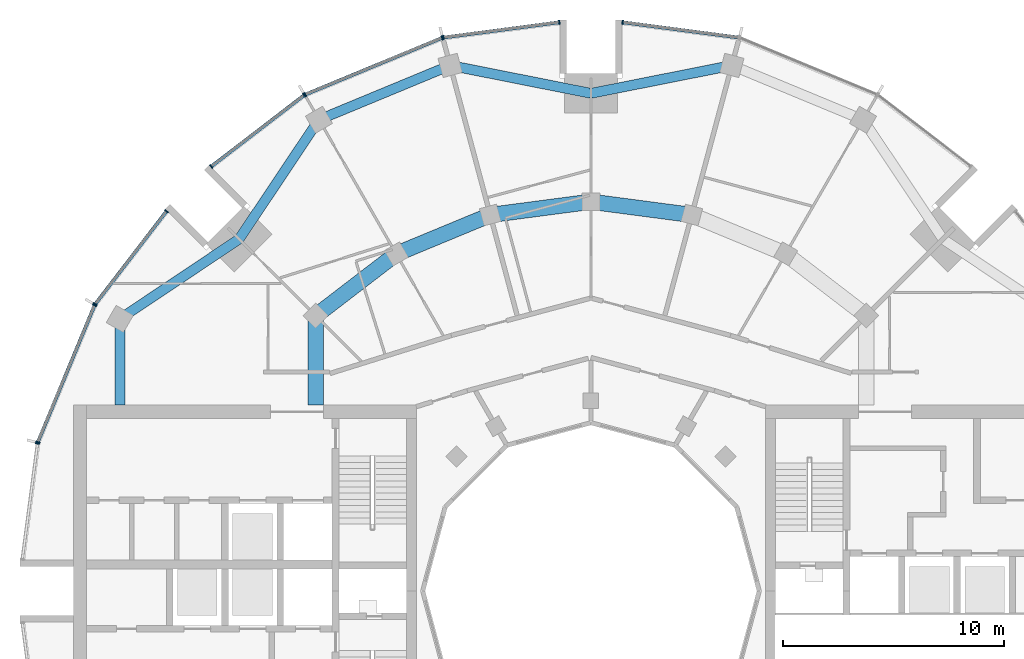
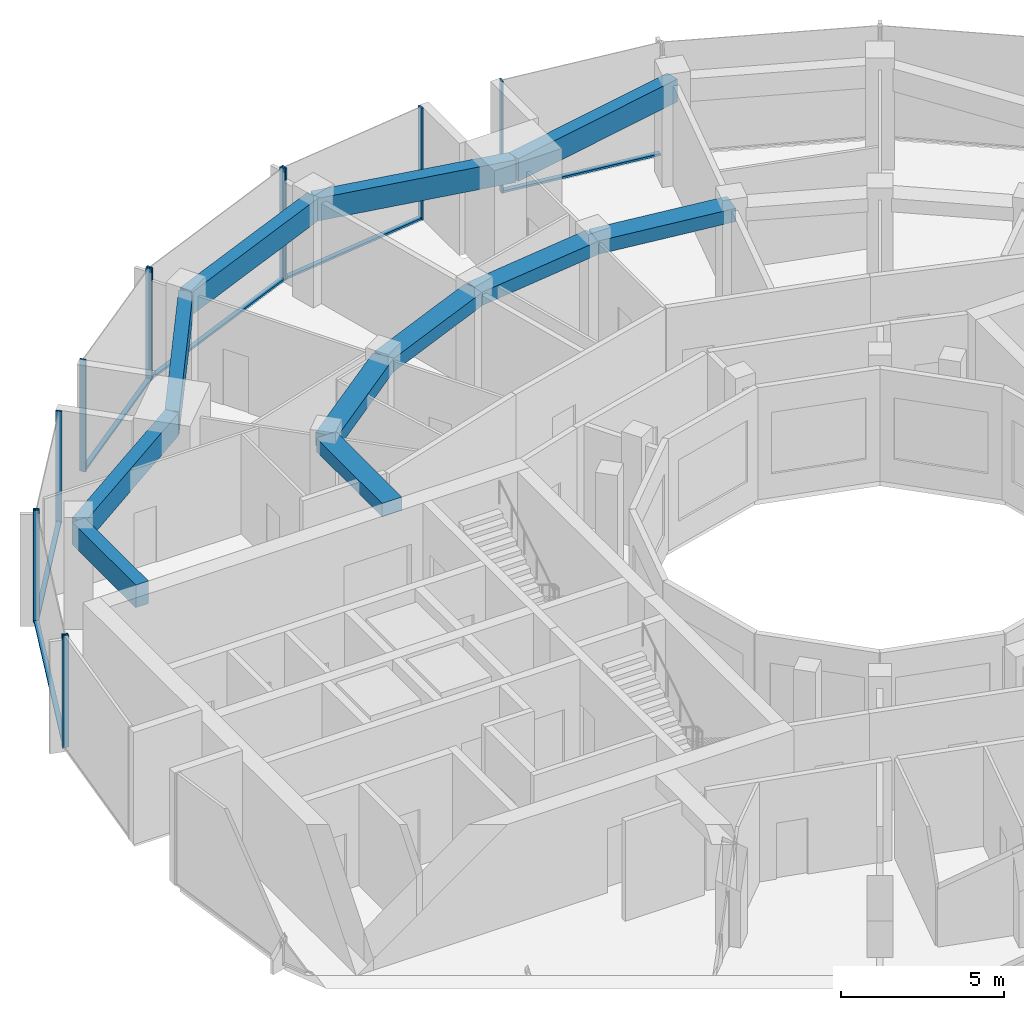
# One storey, part 5 of 15: 18 members, 11 beams, 7 elements without a shape of their own.
"""IFC4 building model written with IfcOpenShell, lengths in metres."""

from ifc_helpers import new_model, si_unit, direction, frame, origin, origin_2d, place, context, subcontext, project, spatial, rectangle, extrude, material, layer, layer_set, material_profile, profile_set, type_object, element, aggregate, save


model = new_model("IFC4")

# Units and contexts
model_context = context("Model", 3, precision=1e-05, world=origin(), true_north=direction((0.0, 1.0)))
body_context = subcontext(model_context, "Body", "Model", "MODEL_VIEW")
ifc_project = project(units=[si_unit("LENGTHUNIT", "METRE"), si_unit("AREAUNIT", "SQUARE_METRE"), si_unit("VOLUMEUNIT", "CUBIC_METRE"), si_unit("PLANEANGLEUNIT", "RADIAN"), si_unit("MASSUNIT", "GRAM", prefix="KILO")], contexts=[model_context])

# Site, building, storey
site_placement = place(None, origin())
site = spatial("IfcSite", under=ifc_project, at=site_placement, CompositionType="ELEMENT")
building_placement = place(site_placement, origin())
building = spatial("IfcBuilding", under=site, at=building_placement, Name="Torre Brocal", CompositionType="ELEMENT")
storey_placement = place(building_placement, frame((0.0, 0.0, 225.10009765625)))
storey = spatial("IfcBuildingStorey", under=building, at=storey_placement, Name="L52", CompositionType="ELEMENT", Elevation=225.10009765625)

# Curtain wall, member
ifc_material_1 = material(Name="Aluminium and glass", Category="aluminium")
ifc_layer_1 = layer(ifc_material_1, 0.199951171875)
ifc_layer_set_1 = layer_set([ifc_layer_1], Name="Aluminium and glass")
curtain_wall_type_1 = type_object("IfcCurtainWallType", Name="CW-1 CURTAIN WALL 4200 HIGH", PredefinedType="NOTDEFINED", material=ifc_layer_set_1)
curtain_wall_1_placement = place(storey_placement, origin())
curtain_wall_1 = element("IfcCurtainWall", 1, at=curtain_wall_1_placement, inside=storey, type_object=curtain_wall_type_1, Name="CW-1 RUN 6", PredefinedType="NOTDEFINED")
ifc_material_2 = material(Name="Aluminium, dark anodised", Category="aluminium")
ifc_material_profile_1 = material_profile(ifc_material_2, rectangle(XDim=0.199951171875, YDim=0.06005859375, at=origin_2d()), Name="CW-1 MULLION 60X200")
ifc_profile_set_1 = profile_set([ifc_material_profile_1], Name="Aluminium, dark anodised")
member_type_1 = type_object("IfcMemberType", Name="CW-1 MULLION 60X200", PredefinedType="MULLION", material=ifc_profile_set_1)
member_1_placement = place(storey_placement, frame((81.4296875, 100.7109375, 0.0), z_axis=(0.0, 0.0, 1.0), x_axis=(-0.13052619222, -0.991444861374, 0.0)))
member_1 = element("IfcMember", 2, at=member_1_placement, type_object=member_type_1, Name="CW1-5 mullion 2", PredefinedType="MULLION", context=body_context, shape_type="SweptSolid", body=[
    extrude(rectangle(XDim=0.199951171875, YDim=0.06005859375, at=origin_2d()), origin(), (0.0, 0.0, 1.0), 4.199951171875),
])

# Curtain wall, members
curtain_wall_2_placement = place(storey_placement, origin())
curtain_wall_2 = element("IfcCurtainWall", 3, at=curtain_wall_2_placement, inside=storey, type_object=curtain_wall_type_1, Name="CW-1 RUN 7", PredefinedType="NOTDEFINED")
member_2_placement = place(storey_placement, frame((78.5703125, 100.7109375, 0.0), z_axis=(0.0, 0.0, 1.0), x_axis=(0.13052619222, -0.991444861374, 0.0)))
member_2 = element("IfcMember", 4, at=member_2_placement, type_object=member_type_1, Name="CW1-5 mullion 1", PredefinedType="MULLION", context=body_context, shape_type="SweptSolid", body=[
    extrude(rectangle(XDim=0.199951171875, YDim=0.06005859375, at=origin_2d()), origin(), (0.0, 0.0, 1.0), 4.199951171875),
])
member_3_placement = place(storey_placement, frame((73.32666015625, 100.0205078125, 0.0), z_axis=(0.0, 0.0, 1.0), x_axis=(0.13052619222, -0.991444861374, 0.0)))
member_3 = element("IfcMember", 5, at=member_3_placement, type_object=member_type_1, Name="CW1-5 mullion 2", PredefinedType="MULLION", context=body_context, shape_type="SweptSolid", body=[
    extrude(rectangle(XDim=0.199951171875, YDim=0.06005859375, at=origin_2d()), origin(), (0.0, 0.0, 1.0), 4.199951171875),
])

curtain_wall_3_placement = place(storey_placement, origin())
curtain_wall_3 = element("IfcCurtainWall", 6, at=curtain_wall_3_placement, inside=storey, type_object=curtain_wall_type_1, Name="CW-1 RUN 8", PredefinedType="NOTDEFINED")
member_4_placement = place(storey_placement, frame((73.26904296875, 100.005126953125, 0.0), z_axis=(0.0, 0.0, 1.0), x_axis=(0.382683432333, -0.923879532525, 0.0)))
member_4 = element("IfcMember", 7, at=member_4_placement, type_object=member_type_1, Name="CW1-5 mullion 1", PredefinedType="MULLION", context=body_context, shape_type="SweptSolid", body=[
    extrude(rectangle(XDim=0.199951171875, YDim=0.06005859375, at=origin_2d()), origin(), (0.0, 0.0, 1.0), 4.199951171875),
])
member_5_placement = place(storey_placement, frame((67.078125, 97.440673828125, 0.0), z_axis=(0.0, 0.0, 1.0), x_axis=(0.382683432333, -0.923879532525, 0.0)))
member_5 = element("IfcMember", 8, at=member_5_placement, type_object=member_type_1, Name="CW1-5 mullion 2", PredefinedType="MULLION", context=body_context, shape_type="SweptSolid", body=[
    extrude(rectangle(XDim=0.199951171875, YDim=0.06005859375, at=origin_2d()), origin(), (0.0, 0.0, 1.0), 4.199951171875),
])

curtain_wall_4_placement = place(storey_placement, origin())
curtain_wall_4 = element("IfcCurtainWall", 9, at=curtain_wall_4_placement, inside=storey, type_object=curtain_wall_type_1, Name="CW-1 RUN 9", PredefinedType="NOTDEFINED")
member_6_placement = place(storey_placement, frame((67.026611328125, 97.4111328125, 0.0), z_axis=(0.0, 0.0, 1.0), x_axis=(0.60876142905, -0.793353340259, 0.0)))
member_6 = element("IfcMember", 10, at=member_6_placement, type_object=member_type_1, Name="CW1-5 mullion 1", PredefinedType="MULLION", context=body_context, shape_type="SweptSolid", body=[
    extrude(rectangle(XDim=0.199951171875, YDim=0.06005859375, at=origin_2d()), origin(), (0.0, 0.0, 1.0), 4.199951171875),
])
member_7_placement = place(storey_placement, frame((62.83056640625, 94.19140625, 0.0), z_axis=(0.0, 0.0, 1.0), x_axis=(0.60876142905, -0.793353340259, 0.0)))
member_7 = element("IfcMember", 11, at=member_7_placement, type_object=member_type_1, Name="CW1-5 mullion 2", PredefinedType="MULLION", context=body_context, shape_type="SweptSolid", body=[
    extrude(rectangle(XDim=0.199951171875, YDim=0.06005859375, at=origin_2d()), origin(), (0.0, 0.0, 1.0), 4.199951171875),
])

curtain_wall_5_placement = place(storey_placement, origin())
curtain_wall_5 = element("IfcCurtainWall", 12, at=curtain_wall_5_placement, inside=storey, type_object=curtain_wall_type_1, Name="CW-1 RUN 10", PredefinedType="NOTDEFINED")
member_8_placement = place(storey_placement, frame((60.80859375, 92.16943359375, 0.0), z_axis=(0.0, 0.0, 1.0), x_axis=(0.793353340259, -0.60876142905, 0.0)))
member_8 = element("IfcMember", 13, at=member_8_placement, type_object=member_type_1, Name="CW1-5 mullion 1", PredefinedType="MULLION", context=body_context, shape_type="SweptSolid", body=[
    extrude(rectangle(XDim=0.199951171875, YDim=0.06005859375, at=origin_2d()), origin(), (0.0, 0.0, 1.0), 4.199951171875),
])
member_9_placement = place(storey_placement, frame((57.5888671875, 87.973388671875, 0.0), z_axis=(0.0, 0.0, 1.0), x_axis=(0.793353340259, -0.60876142905, 0.0)))
member_9 = element("IfcMember", 14, at=member_9_placement, type_object=member_type_1, Name="CW1-5 mullion 2", PredefinedType="MULLION", context=body_context, shape_type="SweptSolid", body=[
    extrude(rectangle(XDim=0.199951171875, YDim=0.06005859375, at=origin_2d()), origin(), (0.0, 0.0, 1.0), 4.199951171875),
])

curtain_wall_6_placement = place(storey_placement, origin())
curtain_wall_6 = element("IfcCurtainWall", 15, at=curtain_wall_6_placement, inside=storey, type_object=curtain_wall_type_1, Name="CW-1 RUN 11", PredefinedType="NOTDEFINED")
member_10_placement = place(storey_placement, frame((57.559326171875, 87.921875, 0.0), z_axis=(0.0, 0.0, 1.0), x_axis=(0.923879532525, -0.382683432333, 0.0)))
member_10 = element("IfcMember", 16, at=member_10_placement, type_object=member_type_1, Name="CW1-5 mullion 1", PredefinedType="MULLION", context=body_context, shape_type="SweptSolid", body=[
    extrude(rectangle(XDim=0.199951171875, YDim=0.06005859375, at=origin_2d()), origin(), (0.0, 0.0, 1.0), 4.199951171875),
])
member_11_placement = place(storey_placement, frame((54.994873046875, 81.73095703125, 0.0), z_axis=(0.0, 0.0, 1.0), x_axis=(0.923879532525, -0.382683432333, 0.0)))
member_11 = element("IfcMember", 17, at=member_11_placement, type_object=member_type_1, Name="CW1-5 mullion 2", PredefinedType="MULLION", context=body_context, shape_type="SweptSolid", body=[
    extrude(rectangle(XDim=0.199951171875, YDim=0.06005859375, at=origin_2d()), origin(), (0.0, 0.0, 1.0), 4.199951171875),
])

# Member
ifc_material_3 = material(Name="Aluminium, dark anodised", Category="aluminium")
ifc_material_profile_2 = material_profile(ifc_material_3, rectangle(XDim=0.159912109375, YDim=0.080078125, at=origin_2d()), Name="CW-1 TRANSOM 160X80")
ifc_profile_set_2 = profile_set([ifc_material_profile_2], Name="Aluminium, dark anodised")
member_type_2 = type_object("IfcMemberType", Name="CW-1 TRANSOM 160X80", PredefinedType="USERDEFINED", material=ifc_profile_set_2)
member_12_placement = place(storey_placement, frame((86.643798828125, 100.0244140625, 0.039794921875), z_axis=(-0.991442690863, 0.130542677827, 0.0), x_axis=(-0.130542677827, -0.991442690863, 0.0)))
member_12 = element("IfcMember", 18, at=member_12_placement, type_object=member_type_2, Name="CW1-5 transom 1.1", ObjectType="TRANSOM", PredefinedType="USERDEFINED", context=body_context, shape_type="SweptSolid", body=[
    extrude(rectangle(XDim=0.159912109375, YDim=0.080078125, at=origin_2d()), origin(), (0.0, 0.0, 1.0), 5.22900390625),
])

aggregate(curtain_wall_1, [member_1, member_12])

member_13_placement = place(storey_placement, frame((78.54052734375, 100.70703125, 0.039794921875), z_axis=(-0.991442690863, -0.130542677827, 0.0), x_axis=(0.130542677827, -0.991442690863, 0.0)))
member_13 = element("IfcMember", 19, at=member_13_placement, type_object=member_type_2, Name="CW1-5 transom 1.1", ObjectType="TRANSOM", PredefinedType="USERDEFINED", context=body_context, shape_type="SweptSolid", body=[
    extrude(rectangle(XDim=0.159912109375, YDim=0.080078125, at=origin_2d()), origin(), (0.0, 0.0, 1.0), 5.22900390625),
])

aggregate(curtain_wall_2, [member_2, member_3, member_13])

member_14_placement = place(storey_placement, frame((73.241455078125, 99.99365234375, 0.039794921875), z_axis=(-0.923887344364, -0.38266457234, 0.0), x_axis=(0.38266457234, -0.923887344364, 0.0)))
member_14 = element("IfcMember", 20, at=member_14_placement, type_object=member_type_2, Name="CW1-5 transom 1.1", ObjectType="TRANSOM", PredefinedType="USERDEFINED", context=body_context, shape_type="SweptSolid", body=[
    extrude(rectangle(XDim=0.159912109375, YDim=0.080078125, at=origin_2d()), origin(), (0.0, 0.0, 1.0), 6.640869140625),
])

aggregate(curtain_wall_3, [member_4, member_5, member_14])

member_15_placement = place(storey_placement, frame((67.0029296875, 97.392822265625, 0.039794921875), z_axis=(-0.79336281513, -0.60874908096, 0.0), x_axis=(0.60874908096, -0.79336281513, 0.0)))
member_15 = element("IfcMember", 21, at=member_15_placement, type_object=member_type_2, Name="CW1-5 transom 1.1", ObjectType="TRANSOM", PredefinedType="USERDEFINED", context=body_context, shape_type="SweptSolid", body=[
    extrude(rectangle(XDim=0.159912109375, YDim=0.080078125, at=origin_2d()), origin(), (0.0, 0.0, 1.0), 5.22900390625),
])

aggregate(curtain_wall_4, [member_6, member_7, member_15])

member_16_placement = place(storey_placement, frame((60.790283203125, 92.1455078125, 0.039794921875), z_axis=(-0.60874908096, -0.79336281513, 0.0), x_axis=(0.79336281513, -0.60874908096, 0.0)))
member_16 = element("IfcMember", 22, at=member_16_placement, type_object=member_type_2, Name="CW1-5 transom 1.1", ObjectType="TRANSOM", PredefinedType="USERDEFINED", context=body_context, shape_type="SweptSolid", body=[
    extrude(rectangle(XDim=0.159912109375, YDim=0.080078125, at=origin_2d()), origin(), (0.0, 0.0, 1.0), 5.22900390625),
])

aggregate(curtain_wall_5, [member_8, member_9, member_16])

member_17_placement = place(storey_placement, frame((57.547607421875, 87.89404296875, 0.039794921875), z_axis=(-0.38266457234, -0.923887344364, 0.0), x_axis=(0.923887344364, -0.38266457234, 0.0)))
member_17 = element("IfcMember", 23, at=member_17_placement, type_object=member_type_2, Name="CW1-5 transom 1.1", ObjectType="TRANSOM", PredefinedType="USERDEFINED", context=body_context, shape_type="SweptSolid", body=[
    extrude(rectangle(XDim=0.159912109375, YDim=0.080078125, at=origin_2d()), origin(), (0.0, 0.0, 1.0), 6.640869140625),
])

aggregate(curtain_wall_6, [member_10, member_11, member_17])

# Curtain wall, member
ifc_material_4 = material(Name="Aluminium and glass", Category="aluminium")
ifc_layer_2 = layer(ifc_material_4, 0.199951171875)
ifc_layer_set_2 = layer_set([ifc_layer_2], Name="Aluminium and glass")
curtain_wall_type_2 = type_object("IfcCurtainWallType", Name="CW-1B CURTAIN WALL 4200 HIGH", PredefinedType="NOTDEFINED", material=ifc_layer_set_2)
curtain_wall_7_placement = place(storey_placement, origin())
curtain_wall_7 = element("IfcCurtainWall", 24, at=curtain_wall_7_placement, inside=storey, type_object=curtain_wall_type_2, Name="CW-1B RUN 12", PredefinedType="NOTDEFINED")
ifc_material_5 = material(Name="Aluminium, dark anodised", Category="aluminium")
ifc_material_profile_3 = material_profile(ifc_material_5, rectangle(XDim=0.199951171875, YDim=0.06005859375, at=origin_2d()), Name="CW-1B MULLION 60X200")
ifc_profile_set_3 = profile_set([ifc_material_profile_3], Name="Aluminium, dark anodised")
member_type_3 = type_object("IfcMemberType", Name="CW-1B MULLION 60X200", PredefinedType="MULLION", material=ifc_profile_set_3)
member_18_placement = place(storey_placement, frame((54.9794921875, 81.67333984375, 0.0), z_axis=(0.0, 0.0, 1.0), x_axis=(0.991444861374, -0.13052619222, 0.0)))
member_18 = element("IfcMember", 25, at=member_18_placement, type_object=member_type_3, Name="CW1B-5 mullion 1", PredefinedType="MULLION", context=body_context, shape_type="SweptSolid", body=[
    extrude(rectangle(XDim=0.199951171875, YDim=0.06005859375, at=origin_2d()), origin(), (0.0, 0.0, 1.0), 4.199951171875),
])
aggregate(curtain_wall_7, [member_18])

# Beams
ifc_material_6 = material(Name="Concrete C50", Category="concrete")
ifc_material_profile_4 = material_profile(ifc_material_6, rectangle(XDim=0.699951171875, YDim=0.5, at=origin_2d()), Name="RC 700X500")
ifc_profile_set_4 = profile_set([ifc_material_profile_4], Name="Concrete C50")
beam_type_1 = type_object("IfcBeamType", Name="RC BEAM 700X500 C50 TOP 3800", PredefinedType="BEAM", material=ifc_profile_set_4)
for number, where, z_axis, x_axis, name in (
    (26, (84.55517578125, 92.000244140625, 3.5498046875), (-0.991440544449, 0.130558978332, 0.0), (-0.130558978332, -0.991440544449, 0.0), "Beam BT-39"),
    (27, (80.0, 92.60009765625, 3.5498046875), (-0.991440544449, -0.130558978332, 0.0), (0.130558978332, -0.991440544449, 0.0), "Beam BT-39"),
):
    element("IfcBeam", number, at=place(storey_placement, frame(where, z_axis=z_axis, x_axis=x_axis)), inside=storey, type_object=beam_type_1, Name=name, PredefinedType="BEAM", context=body_context, shape_type="SweptSolid", body=[
        extrude(rectangle(XDim=0.699951171875, YDim=0.5, at=origin_2d()), origin(), (0.0, 0.0, 1.0), 4.594482421875),
    ])
beam_1_placement = place(storey_placement, frame((75.44482421875, 92.000244140625, 3.5498046875), z_axis=(-0.923878240166, -0.382686552348, 0.0), x_axis=(0.382686552348, -0.923878240166, 0.0)))
element("IfcBeam", 28, at=beam_1_placement, inside=storey, type_object=beam_type_1, Name="Beam BT-39", PredefinedType="BEAM", context=body_context, shape_type="SweptSolid", body=[
    extrude(rectangle(XDim=0.699951171875, YDim=0.5, at=origin_2d()), origin(), (0.0, 0.0, 1.0), 4.5947265625),
])
beam_2_placement = place(storey_placement, frame((71.199951171875, 90.241943359375, 3.5498046875), z_axis=(-0.793358265959, -0.6087550097, 0.0), x_axis=(0.6087550097, -0.793358265959, 0.0)))
element("IfcBeam", 29, at=beam_2_placement, inside=storey, type_object=beam_type_1, Name="Beam BT-39", PredefinedType="BEAM", context=body_context, shape_type="SweptSolid", body=[
    extrude(rectangle(XDim=0.699951171875, YDim=0.5, at=origin_2d()), origin(), (0.0, 0.0, 1.0), 4.594482421875),
])
beam_3_placement = place(storey_placement, frame((67.554931640625, 87.445068359375, 3.5498046875), z_axis=(0.0, -1.0, 0.0), x_axis=(1.0, 0.0, 0.0)))
element("IfcBeam", 30, at=beam_3_placement, inside=storey, type_object=beam_type_1, Name="Beam BT-39", PredefinedType="BEAM", context=body_context, shape_type="SweptSolid", body=[
    extrude(rectangle(XDim=0.699951171875, YDim=0.5, at=origin_2d()), origin(), (0.0, 0.0, 1.0), 4.045166015625),
])
ifc_material_7 = material(Name="Concrete C50", Category="concrete")
ifc_material_profile_5 = material_profile(ifc_material_7, rectangle(XDim=0.449951171875, YDim=0.85009765625, at=origin_2d()), Name="RC 450X850")
ifc_profile_set_5 = profile_set([ifc_material_profile_5], Name="Concrete C50")
beam_type_2 = type_object("IfcBeamType", Name="RC SPANDREL BEAM 450X850 C50 TOP 3800", PredefinedType="SPANDREL", material=ifc_profile_set_5)
for number, where, z_axis, x_axis, name in (
    (31, (86.366943359375, 98.76171875, 3.375), (-0.980924907484, -0.194387051723, 0.0), (0.194387051723, -0.980924907484, 0.0), "Beam BT-40"),
    (32, (80.0, 97.5, 3.375), (-0.980924907484, 0.194387051723, 0.0), (-0.194387051723, -0.980924907484, 0.0), "Beam BT-40"),
):
    element("IfcBeam", number, at=place(storey_placement, frame(where, z_axis=z_axis, x_axis=x_axis)), inside=storey, type_object=beam_type_2, Name=name, PredefinedType="SPANDREL", context=body_context, shape_type="SweptSolid", body=[
        extrude(rectangle(XDim=0.449951171875, YDim=0.85009765625, at=origin_2d()), origin(), (0.0, 0.0, 1.0), 6.49072265625),
    ])
beam_4_placement = place(storey_placement, frame((73.633056640625, 98.76171875, 3.375), z_axis=(-0.923882462513, -0.382676358639, 0.0), x_axis=(0.382676358639, -0.923882462513, 0.0)))
element("IfcBeam", 33, at=beam_4_placement, inside=storey, type_object=beam_type_2, Name="Beam BT-40", PredefinedType="SPANDREL", context=body_context, shape_type="SweptSolid", body=[
    extrude(rectangle(XDim=0.449951171875, YDim=0.85009765625, at=origin_2d()), origin(), (0.0, 0.0, 1.0), 6.421875),
])
for number, where, z_axis, x_axis, name in (
    (34, (67.699951171875, 96.30419921875, 3.375), (-0.556157602282, -0.831076844476, 0.0), (0.831076844476, -0.556157602282, 0.0), "Beam BT-40"),
    (35, (64.090087890625, 90.909912109375, 3.375), (-0.831076844476, -0.556157602282, 0.0), (0.556157602282, -0.831076844476, 0.0), "Beam BT-40"),
):
    element("IfcBeam", number, at=place(storey_placement, frame(where, z_axis=z_axis, x_axis=x_axis)), inside=storey, type_object=beam_type_2, Name=name, PredefinedType="SPANDREL", context=body_context, shape_type="SweptSolid", body=[
        extrude(rectangle(XDim=0.449951171875, YDim=0.85009765625, at=origin_2d()), origin(), (0.0, 0.0, 1.0), 6.49072265625),
    ])
beam_5_placement = place(storey_placement, frame((58.69580078125, 87.300048828125, 3.375), z_axis=(0.0, -1.0, 0.0), x_axis=(1.0, 0.0, 0.0)))
element("IfcBeam", 36, at=beam_5_placement, inside=storey, type_object=beam_type_2, Name="Beam BT-40", PredefinedType="SPANDREL", context=body_context, shape_type="SweptSolid", body=[
    extrude(rectangle(XDim=0.449951171875, YDim=0.85009765625, at=origin_2d()), origin(), (0.0, 0.0, 1.0), 3.900146484375),
])

save(model, "model.ifc")
